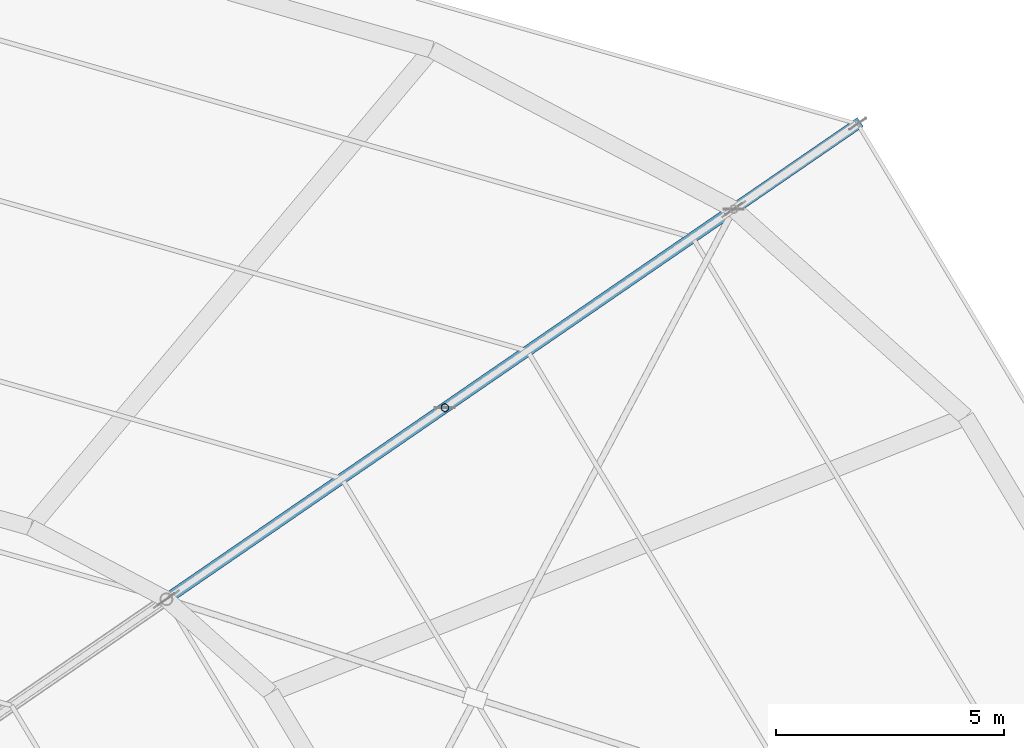
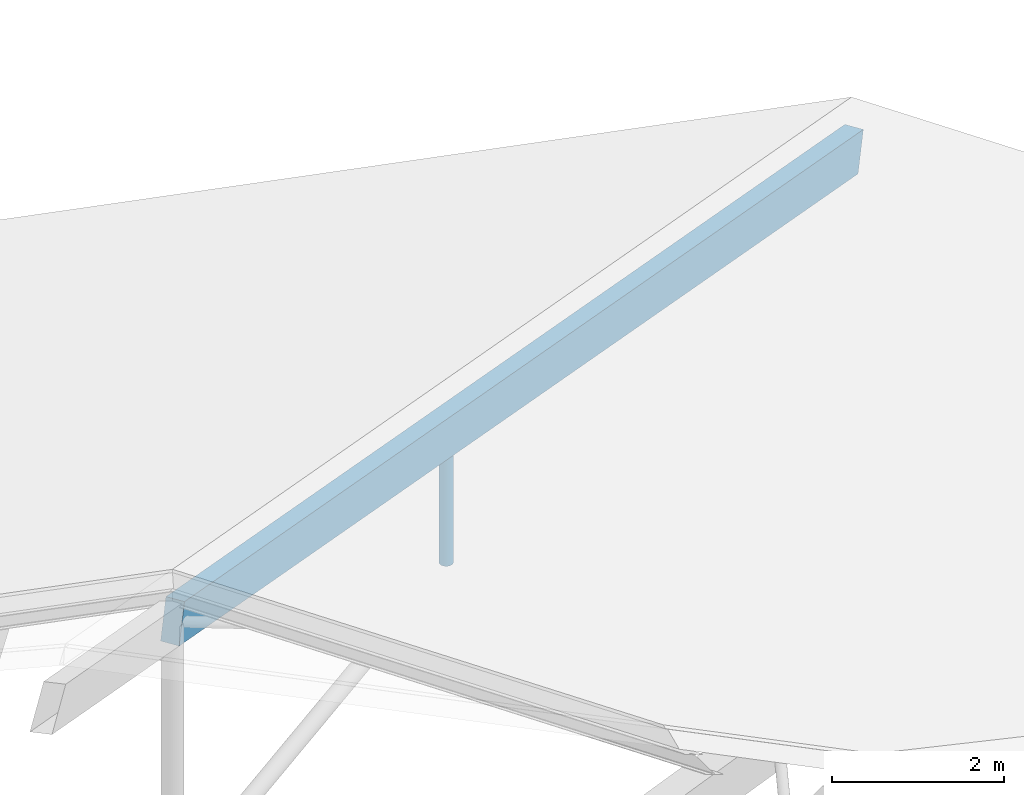
# One storey, part 38 of 66: 2 members.
"""IFC4 building model written with IfcOpenShell, lengths in metres."""

from ifc_helpers import new_model, si_unit, direction, frame, origin, origin_2d, place, context, subcontext, project, spatial, rectangle, hollow_circle, extrude, material, material_profile, profile_set, type_object, element, save


model = new_model("IFC4")

# Units and contexts
model_context = context("Model", 3, precision=1e-05, world=origin(), true_north=direction((0.0, 1.0)))
body_context = subcontext(model_context, "Body", "Model", "MODEL_VIEW")
ifc_project = project(units=[si_unit("LENGTHUNIT", "METRE"), si_unit("AREAUNIT", "SQUARE_METRE"), si_unit("VOLUMEUNIT", "CUBIC_METRE"), si_unit("PLANEANGLEUNIT", "RADIAN"), si_unit("MASSUNIT", "GRAM", prefix="KILO")], contexts=[model_context])

# Site, building, storey
site_placement = place(None, origin())
site = spatial("IfcSite", under=ifc_project, at=site_placement, CompositionType="ELEMENT")
building_placement = place(site_placement, origin())
building = spatial("IfcBuilding", under=site, at=building_placement, Name="Zornivar Specialist Clinic", CompositionType="ELEMENT")
storey_placement = place(building_placement, frame((0.0, 0.0, 16.0)))
storey = spatial("IfcBuildingStorey", under=building, at=storey_placement, Name="L04", CompositionType="ELEMENT", Elevation=16.0)

# Members
ifc_material_1 = material(Name="Glulam GL28h", Category="wood")
ifc_material_profile_1 = material_profile(ifc_material_1, rectangle(XDim=0.239990234375, YDim=0.56005859375, at=origin_2d()), Name="GL28h 240x560")
ifc_profile_set_1 = profile_set([ifc_material_profile_1], Name="Glulam GL28h")
member_type_1 = type_object("IfcMemberType", Name="MEM-RAFTER-GL560", PredefinedType="RAFTER", material=ifc_profile_set_1)
member_1_placement = place(storey_placement, frame((118.94189453125, 75.02294921875, -0.700927734375), z_axis=(-0.796217734361, -0.547421330467, 0.257618334826), x_axis=(0.566544029301, -0.824031469583, 0.0)))
element("IfcMember", 1, at=member_1_placement, inside=storey, type_object=member_type_1, Name="mem:V1:L04:raf1:1", PredefinedType="RAFTER", context=body_context, shape_type="SweptSolid", body=[
    extrude(rectangle(XDim=0.239990234375, YDim=0.56005859375, at=origin_2d()), origin(), (0.0, 0.0, 1.0), 19.039794921875),
])
ifc_material_2 = material(Name="Steel S355J2", Category="steel")
ifc_material_profile_2 = material_profile(ifc_material_2, hollow_circle(Radius=0.084228515625, WallThickness=0.010009765625, at=origin_2d()), Name="CHS 168.3x10")
ifc_profile_set_2 = profile_set([ifc_material_profile_2], Name="Steel S355J2")
member_type_2 = type_object("IfcMemberType", Name="MEM-STRUT-CHS168", PredefinedType="STRUT", material=ifc_profile_set_2)
member_2_placement = place(storey_placement, frame((109.89111328125, 68.800048828125, 0.360107421875), z_axis=(0.0, 0.0, 1.0), x_axis=(1.0, 0.0, 0.0)))
element("IfcMember", 2, at=member_2_placement, inside=storey, type_object=member_type_2, Name="mem:V1:L04:vert1:1", PredefinedType="STRUT", context=body_context, shape_type="SweptSolid", body=[
    extrude(hollow_circle(Radius=0.084228515625, WallThickness=0.010009765625, at=origin_2d()), origin(), (0.0, 0.0, 1.0), 1.866943359375),
])

save(model, "model.ifc")
